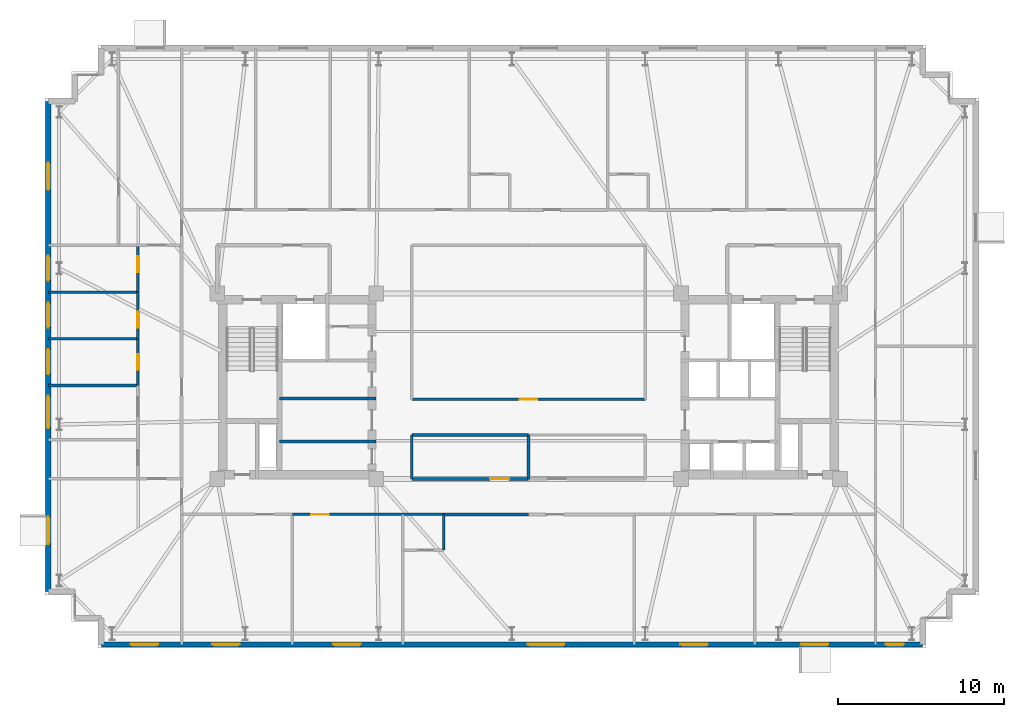
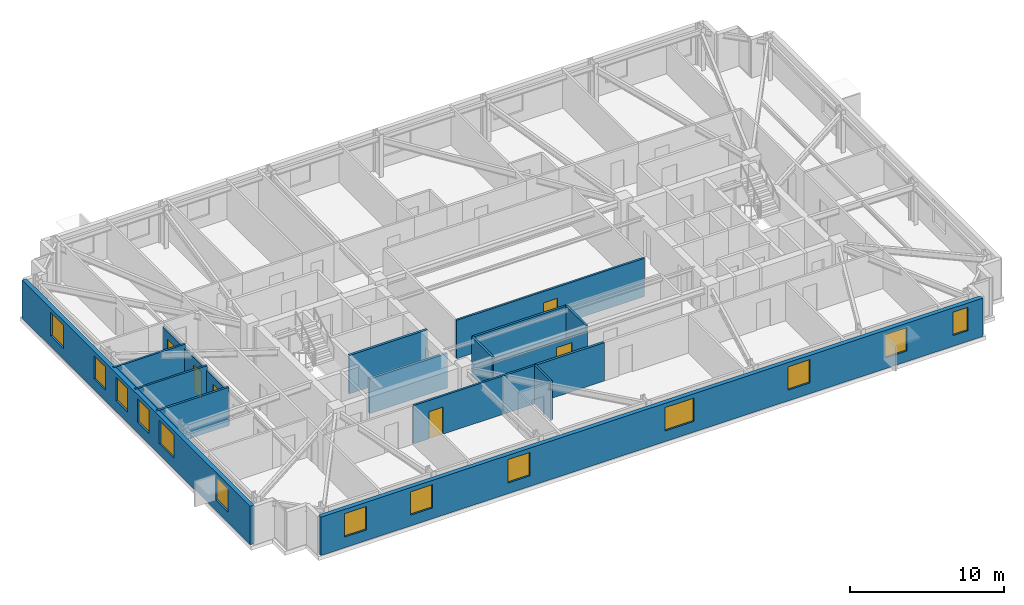
# One storey, part 11 of 17: 19 walls, 13 windows, 6 doors, 19 openings.
"""IFC4 building model written with IfcOpenShell, lengths in metres."""

from ifc_helpers import new_model, si_unit, direction, frame, frame_2d, origin, place, context, subcontext, project, spatial, rectangle, extrude, material, layer, layer_set, type_object, element, fill, save


model = new_model("IFC4")

# Units and contexts
model_context = context("Model", 3, precision=1e-05, world=origin(), true_north=direction((0.0, 1.0)))
body_context = subcontext(model_context, "Body", "Model", "MODEL_VIEW")
ifc_project = project(units=[si_unit("LENGTHUNIT", "METRE"), si_unit("AREAUNIT", "SQUARE_METRE"), si_unit("VOLUMEUNIT", "CUBIC_METRE"), si_unit("PLANEANGLEUNIT", "RADIAN"), si_unit("MASSUNIT", "GRAM", prefix="KILO")], contexts=[model_context])

# Site, building, storey
site_placement = place(None, origin())
site = spatial("IfcSite", under=ifc_project, at=site_placement, CompositionType="ELEMENT")
building_placement = place(site_placement, origin())
building = spatial("IfcBuilding", under=site, at=building_placement, Name="Qobustan Lattice House", CompositionType="ELEMENT")
storey_placement = place(building_placement, frame((0.0, 0.0, 164.5)))
storey = spatial("IfcBuildingStorey", under=building, at=storey_placement, Name="L46", CompositionType="ELEMENT", Elevation=164.5)

# Wall, openings, windows
ifc_material_1 = material(Name="Precast concrete C40/50", Category="concrete")
ifc_layer_1 = layer(ifc_material_1, 0.320068359375)
ifc_layer_set_1 = layer_set([ifc_layer_1], Name="Precast concrete C40/50")
wall_type_1 = type_object("IfcWallType", Name="WAL-EXT-STONE-320", PredefinedType="SOLIDWALL", material=ifc_layer_set_1)
wall_1_placement = place(storey_placement, frame((-29.0, -12.39990234375, 0.0), z_axis=(0.0, 0.0, 1.0), x_axis=(0.0, 1.0, 0.0)))
wall_1 = element("IfcWall", 1, at=wall_1_placement, inside=storey, type_object=wall_type_1, Name="L46 exterior limestone-clad wall 5", PredefinedType="SOLIDWALL", context=body_context, shape_type="SweptSolid", body=[
    extrude(rectangle(XDim=29.599853515625, YDim=0.320068359375, at=frame_2d((14.7998046875, 0.0))), origin(), (0.0, 0.0, 1.0), 3.0400390625),
])
opening_1_placement = place(wall_1_placement, frame((2.85498046875, 0.0, 0.85009765625)))
opening_1 = element("IfcOpeningElement", 2, at=opening_1_placement, cuts=wall_1, Name="Opening WN-09", PredefinedType="OPENING", context=body_context, shape_type="SweptSolid", body=[
    extrude(rectangle(XDim=1.64990234375, YDim=1.85009765625, at=frame_2d((0.824951171875, 0.925048828125))), frame((0.0, 0.169921875, 0.0), z_axis=(0.0, -1.0, 0.0), x_axis=(1.0, 0.0, 0.0)), (0.0, 0.0, 1.0), 0.340087890625),
])
opening_2_placement = place(wall_1_placement, frame((9.864990234375, 0.0, 0.85009765625)))
opening_2 = element("IfcOpeningElement", 3, at=opening_2_placement, cuts=wall_1, Name="Opening WN-08", PredefinedType="OPENING", context=body_context, shape_type="SweptSolid", body=[
    extrude(rectangle(XDim=1.949951171875, YDim=1.85009765625, at=frame_2d((0.97509765625, 0.925048828125))), frame((0.0, 0.169921875, 0.0), z_axis=(0.0, -1.0, 0.0), x_axis=(1.0, 0.0, 0.0)), (0.0, 0.0, 1.0), 0.340087890625),
])
opening_3_placement = place(wall_1_placement, frame((13.1298828125, 0.0, 0.85009765625)))
opening_3 = element("IfcOpeningElement", 4, at=opening_3_placement, cuts=wall_1, Name="Opening WN-01", PredefinedType="OPENING", context=body_context, shape_type="SweptSolid", body=[
    extrude(rectangle(XDim=1.5, YDim=1.85009765625, at=frame_2d((0.75, 0.925048828125))), frame((0.0, 0.169921875, 0.0), z_axis=(0.0, -1.0, 0.0), x_axis=(1.0, 0.0, 0.0)), (0.0, 0.0, 1.0), 0.340087890625),
])
opening_4_placement = place(wall_1_placement, frame((15.929931640625, 0.0, 0.85009765625)))
opening_4 = element("IfcOpeningElement", 5, at=opening_4_placement, cuts=wall_1, Name="Opening WN-01", PredefinedType="OPENING", context=body_context, shape_type="SweptSolid", body=[
    extrude(rectangle(XDim=1.5, YDim=1.85009765625, at=frame_2d((0.75, 0.925048828125))), frame((0.0, 0.169921875, 0.0), z_axis=(0.0, -1.0, 0.0), x_axis=(1.0, 0.0, 0.0)), (0.0, 0.0, 1.0), 0.340087890625),
])
opening_5_placement = place(wall_1_placement, frame((18.77001953125, 0.0, 0.85009765625)))
opening_5 = element("IfcOpeningElement", 6, at=opening_5_placement, cuts=wall_1, Name="Opening WN-01", PredefinedType="OPENING", context=body_context, shape_type="SweptSolid", body=[
    extrude(rectangle(XDim=1.5, YDim=1.85009765625, at=frame_2d((0.75, 0.925048828125))), frame((0.0, 0.169921875, 0.0), z_axis=(0.0, -1.0, 0.0), x_axis=(1.0, 0.0, 0.0)), (0.0, 0.0, 1.0), 0.340087890625),
])
opening_6_placement = place(wall_1_placement, frame((24.2548828125, 0.0, 0.85009765625)))
opening_6 = element("IfcOpeningElement", 7, at=opening_6_placement, cuts=wall_1, Name="Opening WN-09", PredefinedType="OPENING", context=body_context, shape_type="SweptSolid", body=[
    extrude(rectangle(XDim=1.64990234375, YDim=1.85009765625, at=frame_2d((0.824951171875, 0.925048828125))), frame((0.0, 0.169921875, 0.0), z_axis=(0.0, -1.0, 0.0), x_axis=(1.0, 0.0, 0.0)), (0.0, 0.0, 1.0), 0.340087890625),
])
ifc_material_2 = material(Name="Double-glazed low-E aluminium window", Category="aluminium")
window_type_1 = type_object("IfcWindowType", Name="WIN-BED-1500x1850", PartitioningType="SINGLE_PANEL", PredefinedType="WINDOW", material=ifc_material_2)
window_1_placement = place(opening_3_placement, origin())
window_1 = element("IfcWindow", 8, at=window_1_placement, inside=storey, type_object=window_type_1, Name="L46 Cluster bedroom L46W1 window", OverallHeight=1.85009765625, OverallWidth=1.5, PartitioningType="SINGLE_PANEL", PredefinedType="WINDOW", context=body_context, shape_type="SweptSolid", body=[
    extrude(rectangle(XDim=1.5, YDim=1.85009765625, at=frame_2d((0.75, 0.925048828125))), frame((0.0, 0.030029296875, 0.0), z_axis=(0.0, -1.0, 0.0), x_axis=(1.0, 0.0, 0.0)), (0.0, 0.0, 1.0), 0.06005859375),
])
fill(opening_3, window_1)
window_2_placement = place(opening_4_placement, origin())
window_2 = element("IfcWindow", 9, at=window_2_placement, inside=storey, type_object=window_type_1, Name="L46 Cluster bedroom L46W2 window", OverallHeight=1.85009765625, OverallWidth=1.5, PartitioningType="SINGLE_PANEL", PredefinedType="WINDOW", context=body_context, shape_type="SweptSolid", body=[
    extrude(rectangle(XDim=1.5, YDim=1.85009765625, at=frame_2d((0.75, 0.925048828125))), frame((0.0, 0.030029296875, 0.0), z_axis=(0.0, -1.0, 0.0), x_axis=(1.0, 0.0, 0.0)), (0.0, 0.0, 1.0), 0.06005859375),
])
fill(opening_4, window_2)
window_3_placement = place(opening_5_placement, origin())
window_3 = element("IfcWindow", 10, at=window_3_placement, inside=storey, type_object=window_type_1, Name="L46 Cluster bedroom L46W3 window", OverallHeight=1.85009765625, OverallWidth=1.5, PartitioningType="SINGLE_PANEL", PredefinedType="WINDOW", context=body_context, shape_type="SweptSolid", body=[
    extrude(rectangle(XDim=1.5, YDim=1.85009765625, at=frame_2d((0.75, 0.925048828125))), frame((0.0, 0.030029296875, 0.0), z_axis=(0.0, -1.0, 0.0), x_axis=(1.0, 0.0, 0.0)), (0.0, 0.0, 1.0), 0.06005859375),
])
fill(opening_5, window_3)
ifc_material_3 = material(Name="Double-glazed low-E aluminium window", Category="aluminium")
window_type_2 = type_object("IfcWindowType", Name="WIN-KIT-1950x1850", PartitioningType="SINGLE_PANEL", PredefinedType="WINDOW", material=ifc_material_3)
window_4_placement = place(opening_2_placement, origin())
window_4 = element("IfcWindow", 11, at=window_4_placement, inside=storey, type_object=window_type_2, Name="L46 Shared kitchen L46W window", OverallHeight=1.85009765625, OverallWidth=1.949951171875, PartitioningType="SINGLE_PANEL", PredefinedType="WINDOW", context=body_context, shape_type="SweptSolid", body=[
    extrude(rectangle(XDim=1.949951171875, YDim=1.85009765625, at=frame_2d((0.97509765625, 0.925048828125))), frame((0.0, 0.030029296875, 0.0), z_axis=(0.0, -1.0, 0.0), x_axis=(1.0, 0.0, 0.0)), (0.0, 0.0, 1.0), 0.06005859375),
])
fill(opening_2, window_4)
ifc_material_4 = material(Name="Double-glazed low-E aluminium window", Category="aluminium")
window_type_3 = type_object("IfcWindowType", Name="WIN-STU-1650x1850", PartitioningType="SINGLE_PANEL", PredefinedType="WINDOW", material=ifc_material_4)
window_5_placement = place(opening_1_placement, origin())
window_5 = element("IfcWindow", 12, at=window_5_placement, inside=storey, type_object=window_type_3, Name="L46 Reading study room L46WS window", OverallHeight=1.85009765625, OverallWidth=1.64990234375, PartitioningType="SINGLE_PANEL", PredefinedType="WINDOW", context=body_context, shape_type="SweptSolid", body=[
    extrude(rectangle(XDim=1.64990234375, YDim=1.85009765625, at=frame_2d((0.824951171875, 0.925048828125))), frame((0.0, 0.030029296875, 0.0), z_axis=(0.0, -1.0, 0.0), x_axis=(1.0, 0.0, 0.0)), (0.0, 0.0, 1.0), 0.06005859375),
])
fill(opening_1, window_5)
window_6_placement = place(opening_6_placement, origin())
window_6 = element("IfcWindow", 13, at=window_6_placement, inside=storey, type_object=window_type_3, Name="L46 Collaborative study room L46WN window", OverallHeight=1.85009765625, OverallWidth=1.64990234375, PartitioningType="SINGLE_PANEL", PredefinedType="WINDOW", context=body_context, shape_type="SweptSolid", body=[
    extrude(rectangle(XDim=1.64990234375, YDim=1.85009765625, at=frame_2d((0.824951171875, 0.925048828125))), frame((0.0, 0.030029296875, 0.0), z_axis=(0.0, -1.0, 0.0), x_axis=(1.0, 0.0, 0.0)), (0.0, 0.0, 1.0), 0.06005859375),
])
fill(opening_6, window_6)

wall_2_placement = place(storey_placement, frame((23.800048828125, -15.60009765625, 0.0), z_axis=(0.0, 0.0, 1.0), x_axis=(-1.0, 0.0, 0.0)))
wall_2 = element("IfcWall", 14, at=wall_2_placement, inside=storey, type_object=wall_type_1, Name="L46 exterior limestone-clad wall 20", PredefinedType="SOLIDWALL", context=body_context, shape_type="SweptSolid", body=[
    extrude(rectangle(XDim=49.60009765625, YDim=0.320068359375, at=frame_2d((24.800048828125, 0.0))), origin(), (0.0, 0.0, 1.0), 3.0400390625),
])
opening_7_placement = place(wall_2_placement, frame((1.1298828125, 0.0, 0.85009765625)))
opening_7 = element("IfcOpeningElement", 15, at=opening_7_placement, cuts=wall_2, Name="Opening WN-04", PredefinedType="OPENING", context=body_context, shape_type="SweptSolid", body=[
    extrude(rectangle(XDim=1.10009765625, YDim=1.85009765625, at=frame_2d((0.550048828125, 0.925048828125))), frame((0.0, 0.169921875, 0.0), z_axis=(0.0, -1.0, 0.0), x_axis=(1.0, 0.0, 0.0)), (0.0, 0.0, 1.0), 0.340087890625),
])
opening_8_placement = place(wall_2_placement, frame((5.695068359375, 0.0, 0.85009765625)))
opening_8 = element("IfcOpeningElement", 16, at=opening_8_placement, cuts=wall_2, Name="Opening WN-09", PredefinedType="OPENING", context=body_context, shape_type="SweptSolid", body=[
    extrude(rectangle(XDim=1.64990234375, YDim=1.85009765625, at=frame_2d((0.824951171875, 0.925048828125))), frame((0.0, 0.169921875, 0.0), z_axis=(0.0, -1.0, 0.0), x_axis=(1.0, 0.0, 0.0)), (0.0, 0.0, 1.0), 0.340087890625),
])
opening_9_placement = place(wall_2_placement, frame((12.97509765625, 0.0, 0.85009765625)))
opening_9 = element("IfcOpeningElement", 17, at=opening_9_placement, cuts=wall_2, Name="Opening WN-09", PredefinedType="OPENING", context=body_context, shape_type="SweptSolid", body=[
    extrude(rectangle(XDim=1.64990234375, YDim=1.85009765625, at=frame_2d((0.824951171875, 0.925048828125))), frame((0.0, 0.169921875, 0.0), z_axis=(0.0, -1.0, 0.0), x_axis=(1.0, 0.0, 0.0)), (0.0, 0.0, 1.0), 0.340087890625),
])
opening_10_placement = place(wall_2_placement, frame((21.635986328125, 0.0, 0.85009765625)))
opening_10 = element("IfcOpeningElement", 18, at=opening_10_placement, cuts=wall_2, Name="Opening WN-03", PredefinedType="OPENING", context=body_context, shape_type="SweptSolid", body=[
    extrude(rectangle(XDim=2.199951171875, YDim=1.85009765625, at=frame_2d((1.10009765625, 0.925048828125))), frame((0.0, 0.169921875, 0.0), z_axis=(0.0, -1.0, 0.0), x_axis=(1.0, 0.0, 0.0)), (0.0, 0.0, 1.0), 0.340087890625),
])
opening_11_placement = place(wall_2_placement, frame((33.93505859375, 0.0, 0.85009765625)))
opening_11 = element("IfcOpeningElement", 19, at=opening_11_placement, cuts=wall_2, Name="Opening WN-09", PredefinedType="OPENING", context=body_context, shape_type="SweptSolid", body=[
    extrude(rectangle(XDim=1.64990234375, YDim=1.85009765625, at=frame_2d((0.824951171875, 0.925048828125))), frame((0.0, 0.169921875, 0.0), z_axis=(0.0, -1.0, 0.0), x_axis=(1.0, 0.0, 0.0)), (0.0, 0.0, 1.0), 0.340087890625),
])
opening_12_placement = place(wall_2_placement, frame((41.240478515625, 0.0, 0.85009765625)))
opening_12 = element("IfcOpeningElement", 20, at=opening_12_placement, cuts=wall_2, Name="Opening WN-09", PredefinedType="OPENING", context=body_context, shape_type="SweptSolid", body=[
    extrude(rectangle(XDim=1.64990234375, YDim=1.85009765625, at=frame_2d((0.824951171875, 0.925048828125))), frame((0.0, 0.169921875, 0.0), z_axis=(0.0, -1.0, 0.0), x_axis=(1.0, 0.0, 0.0)), (0.0, 0.0, 1.0), 0.340087890625),
])
opening_13_placement = place(wall_2_placement, frame((46.175048828125, 0.0, 0.85009765625)))
opening_13 = element("IfcOpeningElement", 21, at=opening_13_placement, cuts=wall_2, Name="Opening WN-09", PredefinedType="OPENING", context=body_context, shape_type="SweptSolid", body=[
    extrude(rectangle(XDim=1.64990234375, YDim=1.85009765625, at=frame_2d((0.824951171875, 0.925048828125))), frame((0.0, 0.169921875, 0.0), z_axis=(0.0, -1.0, 0.0), x_axis=(1.0, 0.0, 0.0)), (0.0, 0.0, 1.0), 0.340087890625),
])
ifc_material_5 = material(Name="Double-glazed low-E aluminium window", Category="aluminium")
window_type_4 = type_object("IfcWindowType", Name="WIN-NAR-1100x1850", PartitioningType="SINGLE_PANEL", PredefinedType="WINDOW", material=ifc_material_5)
window_7_placement = place(opening_7_placement, origin())
window_7 = element("IfcWindow", 22, at=window_7_placement, inside=storey, type_object=window_type_4, Name="L46 Fellows reading room window", OverallHeight=1.85009765625, OverallWidth=1.10009765625, PartitioningType="SINGLE_PANEL", PredefinedType="WINDOW", context=body_context, shape_type="SweptSolid", body=[
    extrude(rectangle(XDim=1.10009765625, YDim=1.85009765625, at=frame_2d((0.550048828125, 0.925048828125))), frame((0.0, 0.030029296875, 0.0), z_axis=(0.0, -1.0, 0.0), x_axis=(1.0, 0.0, 0.0)), (0.0, 0.0, 1.0), 0.06005859375),
])
fill(opening_7, window_7)
window_8_placement = place(opening_8_placement, origin())
window_8 = element("IfcWindow", 23, at=window_8_placement, inside=storey, type_object=window_type_3, Name="L46 Academic seminar room window", OverallHeight=1.85009765625, OverallWidth=1.64990234375, PartitioningType="SINGLE_PANEL", PredefinedType="WINDOW", context=body_context, shape_type="SweptSolid", body=[
    extrude(rectangle(XDim=1.64990234375, YDim=1.85009765625, at=frame_2d((0.824951171875, 0.925048828125))), frame((0.0, 0.030029296875, 0.0), z_axis=(0.0, -1.0, 0.0), x_axis=(1.0, 0.0, 0.0)), (0.0, 0.0, 1.0), 0.06005859375),
])
fill(opening_8, window_8)
window_9_placement = place(opening_9_placement, origin())
window_9 = element("IfcWindow", 24, at=window_9_placement, inside=storey, type_object=window_type_3, Name="L46 Group study room window", OverallHeight=1.85009765625, OverallWidth=1.64990234375, PartitioningType="SINGLE_PANEL", PredefinedType="WINDOW", context=body_context, shape_type="SweptSolid", body=[
    extrude(rectangle(XDim=1.64990234375, YDim=1.85009765625, at=frame_2d((0.824951171875, 0.925048828125))), frame((0.0, 0.030029296875, 0.0), z_axis=(0.0, -1.0, 0.0), x_axis=(1.0, 0.0, 0.0)), (0.0, 0.0, 1.0), 0.06005859375),
])
fill(opening_9, window_9)
window_10_placement = place(opening_11_placement, origin())
window_10 = element("IfcWindow", 25, at=window_10_placement, inside=storey, type_object=window_type_3, Name="L46 Focus study room S1B window", OverallHeight=1.85009765625, OverallWidth=1.64990234375, PartitioningType="SINGLE_PANEL", PredefinedType="WINDOW", context=body_context, shape_type="SweptSolid", body=[
    extrude(rectangle(XDim=1.64990234375, YDim=1.85009765625, at=frame_2d((0.824951171875, 0.925048828125))), frame((0.0, 0.030029296875, 0.0), z_axis=(0.0, -1.0, 0.0), x_axis=(1.0, 0.0, 0.0)), (0.0, 0.0, 1.0), 0.06005859375),
])
fill(opening_11, window_10)
window_11_placement = place(opening_12_placement, origin())
window_11 = element("IfcWindow", 26, at=window_11_placement, inside=storey, type_object=window_type_3, Name="L46 Focus study room S1A window", OverallHeight=1.85009765625, OverallWidth=1.64990234375, PartitioningType="SINGLE_PANEL", PredefinedType="WINDOW", context=body_context, shape_type="SweptSolid", body=[
    extrude(rectangle(XDim=1.64990234375, YDim=1.85009765625, at=frame_2d((0.824951171875, 0.925048828125))), frame((0.0, 0.030029296875, 0.0), z_axis=(0.0, -1.0, 0.0), x_axis=(1.0, 0.0, 0.0)), (0.0, 0.0, 1.0), 0.06005859375),
])
fill(opening_12, window_11)
window_12_placement = place(opening_13_placement, origin())
window_12 = element("IfcWindow", 27, at=window_12_placement, inside=storey, type_object=window_type_3, Name="L46 Reading study room L46WS window", OverallHeight=1.85009765625, OverallWidth=1.64990234375, PartitioningType="SINGLE_PANEL", PredefinedType="WINDOW", context=body_context, shape_type="SweptSolid", body=[
    extrude(rectangle(XDim=1.64990234375, YDim=1.85009765625, at=frame_2d((0.824951171875, 0.925048828125))), frame((0.0, 0.030029296875, 0.0), z_axis=(0.0, -1.0, 0.0), x_axis=(1.0, 0.0, 0.0)), (0.0, 0.0, 1.0), 0.06005859375),
])
fill(opening_13, window_12)
ifc_material_6 = material(Name="Double-glazed low-E aluminium window", Category="aluminium")
window_type_5 = type_object("IfcWindowType", Name="WIN-WIDE-2200x1850", PartitioningType="SINGLE_PANEL", PredefinedType="WINDOW", material=ifc_material_6)
window_13_placement = place(opening_10_placement, origin())
window_13 = element("IfcWindow", 28, at=window_13_placement, inside=storey, type_object=window_type_5, Name="L46 Kitchenette and studio apartment L46-S2 window", OverallHeight=1.85009765625, OverallWidth=2.199951171875, PartitioningType="SINGLE_PANEL", PredefinedType="WINDOW", context=body_context, shape_type="SweptSolid", body=[
    extrude(rectangle(XDim=2.199951171875, YDim=1.85009765625, at=frame_2d((1.10009765625, 0.925048828125))), frame((0.0, 0.030029296875, 0.0), z_axis=(0.0, -1.0, 0.0), x_axis=(1.0, 0.0, 0.0)), (0.0, 0.0, 1.0), 0.06005859375),
])
fill(opening_10, window_13)

# Walls
ifc_material_7 = material(Name="Gypsum fireboard acoustic partition", Category="gypsum")
ifc_layer_2 = layer(ifc_material_7, 0.179931640625)
ifc_layer_set_2 = layer_set([ifc_layer_2], Name="Gypsum fireboard acoustic partition")
wall_type_2 = type_object("IfcWallType", Name="WAL-FIRE-180", PredefinedType="PARTITIONING", material=ifc_layer_set_2)
wall_3_placement = place(storey_placement, frame((-15.050048828125, -3.35009765625, 0.0), z_axis=(0.0, 0.0, 1.0), x_axis=(1.0, 0.0, 0.0)))
element("IfcWall", 29, at=wall_3_placement, inside=storey, type_object=wall_type_2, Name="L46 interior partition 10", PredefinedType="PARTITIONING", context=body_context, shape_type="SweptSolid", body=[
    extrude(rectangle(XDim=5.85009765625, YDim=0.179931640625, at=frame_2d((2.925048828125, 0.0))), origin(), (0.0, 0.0, 1.0), 2.7548828125),
])
wall_4_placement = place(storey_placement, frame((-9.199951171875, -0.75, 0.0), z_axis=(0.0, 0.0, 1.0), x_axis=(-1.0, 0.0, 0.0)))
element("IfcWall", 30, at=wall_4_placement, inside=storey, type_object=wall_type_2, Name="L46 interior partition 11", PredefinedType="PARTITIONING", context=body_context, shape_type="SweptSolid", body=[
    extrude(rectangle(XDim=5.85009765625, YDim=0.179931640625, at=frame_2d((2.925048828125, 0.0))), origin(), (0.0, 0.0, 1.0), 3.0400390625),
])
wall_5_placement = place(storey_placement, frame((0.0, -7.75, 0.0), z_axis=(0.0, 0.0, 1.0), x_axis=(-1.0, 0.0, 0.0)))
element("IfcWall", 31, at=wall_5_placement, inside=storey, type_object=wall_type_2, Name="L46 interior partition 49", PredefinedType="PARTITIONING", context=body_context, shape_type="SweptSolid", body=[
    extrude(rectangle(XDim=5.133056640625, YDim=0.179931640625, at=frame_2d((2.56640625, 0.0))), origin(), (0.0, 0.0, 1.0), 3.0400390625),
])

# Wall, opening, door
ifc_material_8 = material(Name="Acoustic twin-stud gypsum partition", Category="gypsum")
ifc_layer_3 = layer(ifc_material_8, 0.14990234375)
ifc_layer_set_3 = layer_set([ifc_layer_3], Name="Acoustic twin-stud gypsum partition")
wall_type_3 = type_object("IfcWallType", Name="WAL-PART-150", PredefinedType="PARTITIONING", material=ifc_layer_set_3)
wall_6_placement = place(storey_placement, frame((-7.5830078125, -7.75, 0.0), z_axis=(0.0, 0.0, 1.0), x_axis=(-1.0, 0.0, 0.0)))
wall_6 = element("IfcWall", 32, at=wall_6_placement, inside=storey, type_object=wall_type_3, Name="L46 interior partition 48", PredefinedType="PARTITIONING", context=body_context, shape_type="SweptSolid", body=[
    extrude(rectangle(XDim=6.68359375, YDim=0.14990234375, at=frame_2d((3.341796875, 0.0))), origin(), (0.0, 0.0, 1.0), 3.0400390625),
])
opening_14_placement = place(wall_6_placement, frame((4.494384765625, 0.0, 0.0)))
opening_14 = element("IfcOpeningElement", 33, at=opening_14_placement, cuts=wall_6, Name="Opening ID-02", PredefinedType="OPENING", context=body_context, shape_type="SweptSolid", body=[
    extrude(rectangle(XDim=1.050048828125, YDim=2.14990234375, at=frame_2d((0.52490234375, 1.074951171875))), frame((0.0, 0.0849609375, 0.0), z_axis=(0.0, -1.0, 0.0), x_axis=(1.0, 0.0, 0.0)), (0.0, 0.0, 1.0), 0.169921875),
])
ifc_material_9 = material(Name="Persian walnut timber and steel frame door", Category="steel")
door_type_1 = type_object("IfcDoorType", Name="DOR-STUDY-1050x2150", OperationType="NOTDEFINED", PredefinedType="DOOR", material=ifc_material_9)
door_1_placement = place(opening_14_placement, origin())
door_1 = element("IfcDoor", 34, at=door_1_placement, inside=storey, type_object=door_type_1, Name="L46 South-west floor corridor to Focus study room S1B door", OperationType="SINGLE_SWING_RIGHT", OverallHeight=2.14990234375, OverallWidth=1.050048828125, PredefinedType="DOOR", context=body_context, shape_type="SweptSolid", body=[
    extrude(rectangle(XDim=1.050048828125, YDim=2.14990234375, at=frame_2d((0.52490234375, 1.074951171875))), frame((0.0, 0.02490234375, 0.0), z_axis=(0.0, -1.0, 0.0), x_axis=(1.0, 0.0, 0.0)), (0.0, 0.0, 1.0), 0.050048828125),
])
fill(opening_14, door_1)

wall_7_placement = place(storey_placement, frame((-7.050048828125, -0.800048828125, 0.0), z_axis=(0.0, 0.0, 1.0), x_axis=(1.0, 0.0, 0.0)))
wall_7 = element("IfcWall", 35, at=wall_7_placement, inside=storey, type_object=wall_type_3, Name="L46 interior partition 60", PredefinedType="PARTITIONING", context=body_context, shape_type="SweptSolid", body=[
    extrude(rectangle(XDim=14.10009765625, YDim=0.14990234375, at=frame_2d((7.050048828125, 0.0))), origin(), (0.0, 0.0, 1.0), 3.0400390625),
])
opening_15_placement = place(wall_7_placement, frame((6.52490234375, 0.0, 0.0)))
opening_15 = element("IfcOpeningElement", 36, at=opening_15_placement, cuts=wall_7, Name="Opening ID-02", PredefinedType="OPENING", context=body_context, shape_type="SweptSolid", body=[
    extrude(rectangle(XDim=1.050048828125, YDim=2.14990234375, at=frame_2d((0.52490234375, 1.074951171875))), frame((0.0, 0.0849609375, 0.0), z_axis=(0.0, -1.0, 0.0), x_axis=(1.0, 0.0, 0.0)), (0.0, 0.0, 1.0), 0.169921875),
])
door_2_placement = place(opening_15_placement, origin())
door_2 = element("IfcDoor", 37, at=door_2_placement, inside=storey, type_object=door_type_1, Name="L46 Central spine corridor to Academic seminar commons door", OperationType="SINGLE_SWING_LEFT", OverallHeight=2.14990234375, OverallWidth=1.050048828125, PredefinedType="DOOR", context=body_context, shape_type="SweptSolid", body=[
    extrude(rectangle(XDim=1.050048828125, YDim=2.14990234375, at=frame_2d((0.52490234375, 1.074951171875))), frame((0.0, 0.02490234375, 0.0), z_axis=(0.0, -1.0, 0.0), x_axis=(1.0, 0.0, 0.0)), (0.0, 0.0, 1.0), 0.050048828125),
])
fill(opening_15, door_2)

wall_8_placement = place(storey_placement, frame((-23.60009765625, 0.0400390625, 0.0), z_axis=(0.0, 0.0, 1.0), x_axis=(0.0, 1.0, 0.0)))
wall_8 = element("IfcWall", 38, at=wall_8_placement, inside=storey, type_object=wall_type_3, Name="L46 interior partition 71", PredefinedType="PARTITIONING", context=body_context, shape_type="SweptSolid", body=[
    extrude(rectangle(XDim=2.820068359375, YDim=0.14990234375, at=frame_2d((1.41015625, 0.0))), origin(), (0.0, 0.0, 1.0), 2.695068359375),
])
opening_16_placement = place(wall_8_placement, frame((0.93505859375, 0.0, 0.0)))
opening_16 = element("IfcOpeningElement", 39, at=opening_16_placement, cuts=wall_8, Name="Opening ID-01", PredefinedType="OPENING", context=body_context, shape_type="SweptSolid", body=[
    extrude(rectangle(XDim=0.949951171875, YDim=2.10009765625, at=frame_2d((0.47509765625, 1.050048828125))), frame((0.0, 0.0849609375, 0.0), z_axis=(0.0, -1.0, 0.0), x_axis=(1.0, 0.0, 0.0)), (0.0, 0.0, 1.0), 0.169921875),
])
ifc_material_10 = material(Name="Persian walnut timber and steel frame door", Category="steel")
door_type_2 = type_object("IfcDoorType", Name="DOR-ROOM-950x2100", OperationType="NOTDEFINED", PredefinedType="DOOR", material=ifc_material_10)
door_3_placement = place(opening_16_placement, origin())
door_3 = element("IfcDoor", 40, at=door_3_placement, inside=storey, type_object=door_type_2, Name="L46 Residence entrance hall L46W to Cluster bedroom L46W1 door", OperationType="SINGLE_SWING_RIGHT", OverallHeight=2.10009765625, OverallWidth=0.949951171875, PredefinedType="DOOR", context=body_context, shape_type="SweptSolid", body=[
    extrude(rectangle(XDim=0.949951171875, YDim=2.10009765625, at=frame_2d((0.47509765625, 1.050048828125))), frame((0.0, 0.02490234375, 0.0), z_axis=(0.0, -1.0, 0.0), x_axis=(1.0, 0.0, 0.0)), (0.0, 0.0, 1.0), 0.050048828125),
])
fill(opening_16, door_3)

wall_9_placement = place(storey_placement, frame((-23.60009765625, 2.860107421875, 0.0), z_axis=(0.0, 0.0, 1.0), x_axis=(0.0, 1.0, 0.0)))
wall_9 = element("IfcWall", 41, at=wall_9_placement, inside=storey, type_object=wall_type_3, Name="L46 interior partition 72", PredefinedType="PARTITIONING", context=body_context, shape_type="SweptSolid", body=[
    extrude(rectangle(XDim=2.81982421875, YDim=0.14990234375, at=frame_2d((1.409912109375, 0.0))), origin(), (0.0, 0.0, 1.0), 2.695068359375),
])
opening_17_placement = place(wall_9_placement, frame((0.668701171875, 0.0, 0.0)))
opening_17 = element("IfcOpeningElement", 42, at=opening_17_placement, cuts=wall_9, Name="Opening ID-01", PredefinedType="OPENING", context=body_context, shape_type="SweptSolid", body=[
    extrude(rectangle(XDim=0.949951171875, YDim=2.10009765625, at=frame_2d((0.47509765625, 1.050048828125))), frame((0.0, 0.0849609375, 0.0), z_axis=(0.0, -1.0, 0.0), x_axis=(1.0, 0.0, 0.0)), (0.0, 0.0, 1.0), 0.169921875),
])
door_4_placement = place(opening_17_placement, origin())
door_4 = element("IfcDoor", 43, at=door_4_placement, inside=storey, type_object=door_type_2, Name="L46 Residence entrance hall L46W to Cluster bedroom L46W2 door", OperationType="SINGLE_SWING_LEFT", OverallHeight=2.10009765625, OverallWidth=0.949951171875, PredefinedType="DOOR", context=body_context, shape_type="SweptSolid", body=[
    extrude(rectangle(XDim=0.949951171875, YDim=2.10009765625, at=frame_2d((0.47509765625, 1.050048828125))), frame((0.0, 0.02490234375, 0.0), z_axis=(0.0, -1.0, 0.0), x_axis=(1.0, 0.0, 0.0)), (0.0, 0.0, 1.0), 0.050048828125),
])
fill(opening_17, door_4)

wall_10_placement = place(storey_placement, frame((-23.60009765625, 5.679931640625, 0.0), z_axis=(0.0, 0.0, 1.0), x_axis=(0.0, 1.0, 0.0)))
wall_10 = element("IfcWall", 44, at=wall_10_placement, inside=storey, type_object=wall_type_3, Name="L46 interior partition 73", PredefinedType="PARTITIONING", context=body_context, shape_type="SweptSolid", body=[
    extrude(rectangle(XDim=2.820068359375, YDim=0.14990234375, at=frame_2d((1.41015625, 0.0))), origin(), (0.0, 0.0, 1.0), 2.695068359375),
])
opening_18_placement = place(wall_10_placement, frame((1.201171875, 0.0, 0.0)))
opening_18 = element("IfcOpeningElement", 45, at=opening_18_placement, cuts=wall_10, Name="Opening ID-01", PredefinedType="OPENING", context=body_context, shape_type="SweptSolid", body=[
    extrude(rectangle(XDim=0.949951171875, YDim=2.10009765625, at=frame_2d((0.47509765625, 1.050048828125))), frame((0.0, 0.0849609375, 0.0), z_axis=(0.0, -1.0, 0.0), x_axis=(1.0, 0.0, 0.0)), (0.0, 0.0, 1.0), 0.169921875),
])
door_5_placement = place(opening_18_placement, origin())
door_5 = element("IfcDoor", 46, at=door_5_placement, inside=storey, type_object=door_type_2, Name="L46 Residence entrance hall L46W to Cluster bedroom L46W3 door", OperationType="SINGLE_SWING_RIGHT", OverallHeight=2.10009765625, OverallWidth=0.949951171875, PredefinedType="DOOR", context=body_context, shape_type="SweptSolid", body=[
    extrude(rectangle(XDim=0.949951171875, YDim=2.10009765625, at=frame_2d((0.47509765625, 1.050048828125))), frame((0.0, 0.02490234375, 0.0), z_axis=(0.0, -1.0, 0.0), x_axis=(1.0, 0.0, 0.0)), (0.0, 0.0, 1.0), 0.050048828125),
])
fill(opening_18, door_5)

# Walls
for number, where, z_axis, x_axis, name in (
    (47, (-29.0, 2.860107421875, 0.0), (0.0, 0.0, 1.0), (1.0, 0.0, 0.0), "L46 interior partition 82"),
    (48, (-29.0, 5.679931640625, 0.0), (0.0, 0.0, 1.0), (1.0, 0.0, 0.0), "L46 interior partition 83"),
):
    element("IfcWall", number, at=place(storey_placement, frame(where, z_axis=z_axis, x_axis=x_axis)), inside=storey, type_object=wall_type_3, Name=name, PredefinedType="PARTITIONING", context=body_context, shape_type="SweptSolid", body=[
        extrude(rectangle(XDim=5.39990234375, YDim=0.14990234375, at=frame_2d((2.699951171875, 0.0))), origin(), (0.0, 0.0, 1.0), 3.0400390625),
    ])

# Wall, opening, door
ifc_material_11 = material(Name="High-mass acoustic twin-stud partition", Category="gypsum")
ifc_layer_4 = layer(ifc_material_11, 0.1650390625)
ifc_layer_set_4 = layer_set([ifc_layer_4], Name="High-mass acoustic twin-stud partition")
wall_type_4 = type_object("IfcWallType", Name="WAL-PART-165", PredefinedType="PARTITIONING", material=ifc_layer_set_4)
wall_11_placement = place(storey_placement, frame((-7.050048828125, -5.60009765625, 0.0), z_axis=(0.0, 0.0, 1.0), x_axis=(1.0, 0.0, 0.0)))
wall_11 = element("IfcWall", 49, at=wall_11_placement, inside=storey, type_object=wall_type_4, Name="L46 interior partition 51", PredefinedType="PARTITIONING", context=body_context, shape_type="SweptSolid", body=[
    extrude(rectangle(XDim=7.050048828125, YDim=0.1650390625, at=frame_2d((3.52490234375, 0.0))), origin(), (0.0, 0.0, 1.0), 2.52490234375),
])
opening_19_placement = place(wall_11_placement, frame((4.7275390625, 0.0, 0.0)))
opening_19 = element("IfcOpeningElement", 50, at=opening_19_placement, cuts=wall_11, Name="Opening ID-03", PredefinedType="OPENING", context=body_context, shape_type="SweptSolid", body=[
    extrude(rectangle(XDim=1.14990234375, YDim=2.14990234375, at=frame_2d((0.574951171875, 1.074951171875))), frame((0.0, 0.092529296875, 0.0), z_axis=(0.0, -1.0, 0.0), x_axis=(1.0, 0.0, 0.0)), (0.0, 0.0, 1.0), 0.18505859375),
])
ifc_material_12 = material(Name="Persian walnut timber and steel frame door", Category="steel")
door_type_3 = type_object("IfcDoorType", Name="DOR-KITCH-1150x2150", OperationType="NOTDEFINED", PredefinedType="DOOR", material=ifc_material_12)
door_6_placement = place(opening_19_placement, origin())
door_6 = element("IfcDoor", 51, at=door_6_placement, inside=storey, type_object=door_type_3, Name="L46 South-west floor corridor to Shared dining kitchen door", OperationType="SINGLE_SWING_LEFT", OverallHeight=2.14990234375, OverallWidth=1.14990234375, PredefinedType="DOOR", context=body_context, shape_type="SweptSolid", body=[
    extrude(rectangle(XDim=1.14990234375, YDim=2.14990234375, at=frame_2d((0.574951171875, 1.074951171875))), frame((0.0, 0.02490234375, 0.0), z_axis=(0.0, -1.0, 0.0), x_axis=(1.0, 0.0, 0.0)), (0.0, 0.0, 1.0), 0.050048828125),
])
fill(opening_19, door_6)

# Walls
wall_12_placement = place(storey_placement, frame((0.0, -2.949951171875, 0.0), z_axis=(0.0, 0.0, 1.0), x_axis=(-1.0, 0.0, 0.0)))
element("IfcWall", 52, at=wall_12_placement, inside=storey, type_object=wall_type_4, Name="L46 interior partition 61", PredefinedType="PARTITIONING", context=body_context, shape_type="SweptSolid", body=[
    extrude(rectangle(XDim=7.050048828125, YDim=0.1650390625, at=frame_2d((3.52490234375, 0.0))), origin(), (0.0, 0.0, 1.0), 3.0400390625),
])
wall_13_placement = place(storey_placement, frame((-7.050048828125, -2.949951171875, 0.0), z_axis=(0.0, 0.0, 1.0), x_axis=(0.0, -1.0, 0.0)))
element("IfcWall", 53, at=wall_13_placement, inside=storey, type_object=wall_type_4, Name="L46 interior partition 64", PredefinedType="PARTITIONING", context=body_context, shape_type="SweptSolid", body=[
    extrude(rectangle(XDim=2.650146484375, YDim=0.1650390625, at=frame_2d((1.3251953125, 0.0))), origin(), (0.0, 0.0, 1.0), 3.0400390625),
])
wall_14_placement = place(storey_placement, frame((-29.0, 0.0400390625, 0.0), z_axis=(0.0, 0.0, 1.0), x_axis=(1.0, 0.0, 0.0)))
element("IfcWall", 54, at=wall_14_placement, inside=storey, type_object=wall_type_4, Name="L46 interior partition 81", PredefinedType="PARTITIONING", context=body_context, shape_type="SweptSolid", body=[
    extrude(rectangle(XDim=5.39990234375, YDim=0.1650390625, at=frame_2d((2.699951171875, 0.0))), origin(), (0.0, 0.0, 1.0), 3.0400390625),
])
wall_15_placement = place(storey_placement, frame((0.0, -2.949951171875, 0.0), z_axis=(0.0, 0.0, 1.0), x_axis=(0.0, -1.0, 0.0)))
element("IfcWall", 55, at=wall_15_placement, inside=storey, type_object=wall_type_4, Name="L46 interior partition 106", PredefinedType="PARTITIONING", context=body_context, shape_type="SweptSolid", body=[
    extrude(rectangle(XDim=2.650146484375, YDim=0.1650390625, at=frame_2d((1.3251953125, 0.0))), origin(), (0.0, 0.0, 1.0), 3.0400390625),
])
ifc_material_13 = material(Name="Moisture-resistant acoustic plumbing wall", Category="gypsum")
ifc_layer_5 = layer(ifc_material_13, 0.14990234375)
ifc_layer_set_5 = layer_set([ifc_layer_5], Name="Moisture-resistant acoustic plumbing wall")
wall_type_5 = type_object("IfcWallType", Name="WAL-WET-150", PredefinedType="PLUMBINGWALL", material=ifc_layer_set_5)
wall_16_placement = place(storey_placement, frame((-5.133056640625, -7.75, 0.0), z_axis=(0.0, 0.0, 1.0), x_axis=(-1.0, 0.0, 0.0)))
element("IfcWall", 56, at=wall_16_placement, inside=storey, type_object=wall_type_5, Name="L46 interior partition 50", PredefinedType="PLUMBINGWALL", context=body_context, shape_type="SweptSolid", body=[
    extrude(rectangle(XDim=2.449951171875, YDim=0.14990234375, at=frame_2d((1.22509765625, 0.0))), origin(), (0.0, 0.0, 1.0), 3.0400390625),
])
wall_17_placement = place(storey_placement, frame((-5.133056640625, -9.89990234375, 0.0), z_axis=(0.0, 0.0, 1.0), x_axis=(0.0, 1.0, 0.0)))
element("IfcWall", 57, at=wall_17_placement, inside=storey, type_object=wall_type_5, Name="L46 interior partition 103", PredefinedType="PLUMBINGWALL", context=body_context, shape_type="SweptSolid", body=[
    extrude(rectangle(XDim=2.14990234375, YDim=0.14990234375, at=frame_2d((1.074951171875, 0.0))), origin(), (0.0, 0.0, 1.0), 3.0400390625),
])

save(model, "model.ifc")
